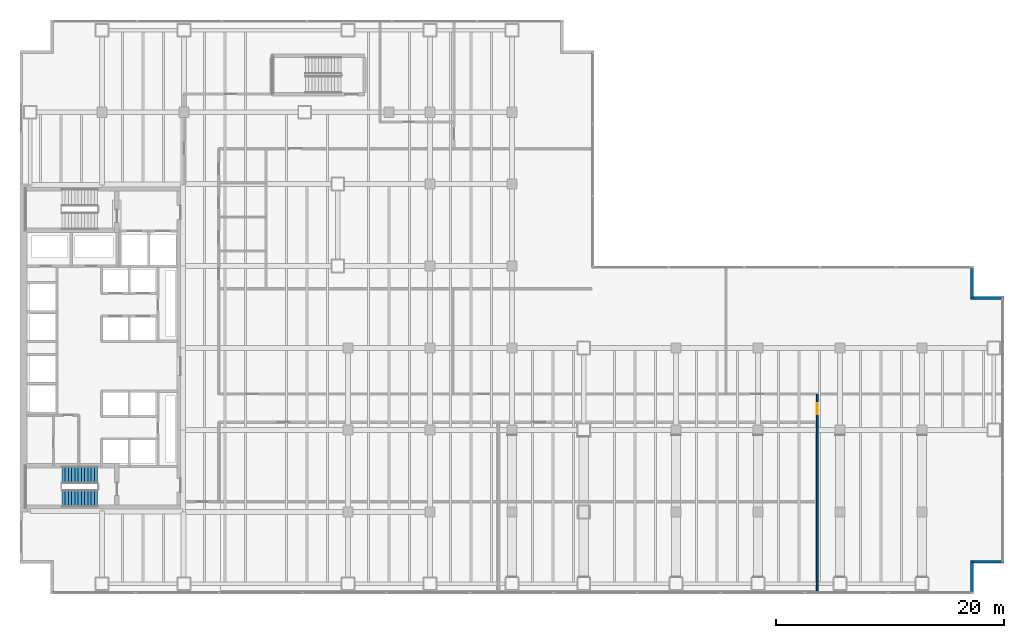
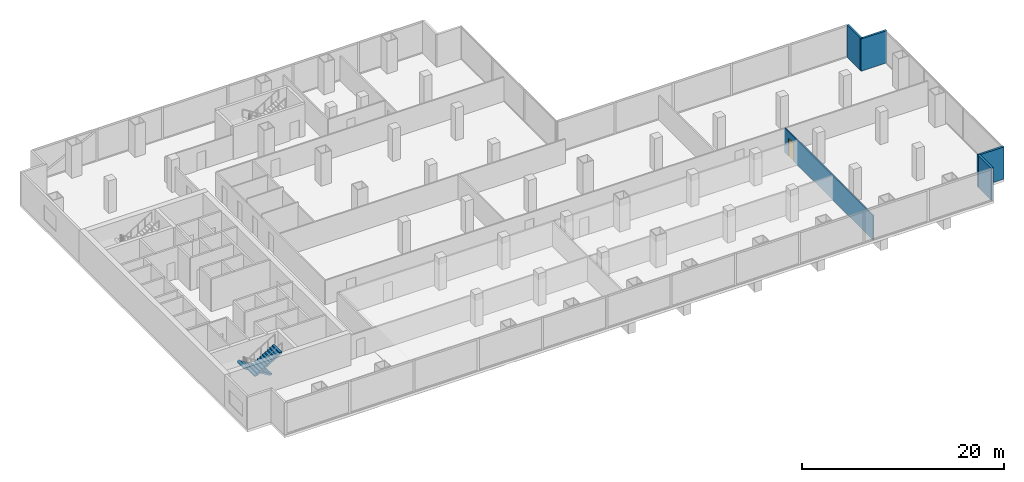
# One storey, part 30 of 34: 5 walls, 2 stair flights, 1 door, 1 opening, 1 element without a shape of its own.
"""IFC4 building model written with IfcOpenShell, lengths in metres."""

from ifc_helpers import new_model, si_unit, direction, frame, frame_2d, origin, place, context, subcontext, project, spatial, polyline, rectangle, outline, extrude, material, layer, layer_set, type_object, element, fill, aggregate, save


model = new_model("IFC4")

# Units and contexts
model_context = context("Model", 3, precision=1e-05, world=origin(), true_north=direction((0.0, 1.0)))
body_context = subcontext(model_context, "Body", "Model", "MODEL_VIEW")
ifc_project = project(units=[si_unit("LENGTHUNIT", "METRE"), si_unit("AREAUNIT", "SQUARE_METRE"), si_unit("VOLUMEUNIT", "CUBIC_METRE"), si_unit("PLANEANGLEUNIT", "RADIAN"), si_unit("MASSUNIT", "GRAM", prefix="KILO")], contexts=[model_context])

# Site, building, storey
site_placement = place(None, origin())
site = spatial("IfcSite", under=ifc_project, at=site_placement, CompositionType="ELEMENT")
building_placement = place(site_placement, origin())
building = spatial("IfcBuilding", under=site, at=building_placement, Name="Cobrela Telecom Tower", CompositionType="ELEMENT")
storey_placement = place(building_placement, frame((0.0, 0.0, 5.25)))
storey = spatial("IfcBuildingStorey", under=building, at=storey_placement, Name="L01", CompositionType="ELEMENT", Elevation=5.25)

# Walls
ifc_material_1 = material(Name="Concrete C40/50", Category="concrete")
ifc_layer_1 = layer(ifc_material_1, 0.239990234375)
ifc_layer_set_1 = layer_set([ifc_layer_1], Name="Concrete C40/50")
wall_type_1 = type_object("IfcWallType", Name="WALL-EXT-300", PredefinedType="STANDARD", material=ifc_layer_set_1)
wall_1_placement = place(storey_placement, frame((83.580078125, 28.679931640625, 0.0), z_axis=(0.0, 0.0, 1.0), x_axis=(0.0, -1.0, 0.0)))
element("IfcWall", 1, at=wall_1_placement, inside=storey, type_object=wall_type_1, Name="L01 Insulated Facade Wall 12", PredefinedType="STANDARD", context=body_context, shape_type="SweptSolid", body=[
    extrude(rectangle(XDim=2.699951171875, YDim=0.239990234375, at=frame_2d((1.35009765625, 0.0))), origin(), (0.0, 0.0, 1.0), 3.89990234375),
])
for number, where, z_axis, x_axis, name in (
    (2, (83.4599609375, 25.97998046875, 0.0), (0.0, 0.0, 1.0), (1.0, 0.0, 0.0), "L01 Insulated Facade Wall 13"),
    (3, (86.39990234375, 2.820068359375, 0.0), (0.0, 0.0, 1.0), (-1.0, 0.0, 0.0), "L01 Insulated Facade Wall 15"),
):
    element("IfcWall", number, at=place(storey_placement, frame(where, z_axis=z_axis, x_axis=x_axis)), inside=storey, type_object=wall_type_1, Name=name, PredefinedType="STANDARD", context=body_context, shape_type="SweptSolid", body=[
        extrude(rectangle(XDim=2.93994140625, YDim=0.239990234375, at=frame_2d((1.469970703125, 0.0))), origin(), (0.0, 0.0, 1.0), 3.89990234375),
    ])
wall_2_placement = place(storey_placement, frame((83.580078125, 2.820068359375, 0.0), z_axis=(0.0, 0.0, 1.0), x_axis=(0.0, -1.0, 0.0)))
element("IfcWall", 4, at=wall_2_placement, inside=storey, type_object=wall_type_1, Name="L01 Insulated Facade Wall 16", PredefinedType="STANDARD", context=body_context, shape_type="SweptSolid", body=[
    extrude(rectangle(XDim=2.699951171875, YDim=0.239990234375, at=frame_2d((1.35009765625, 0.0))), origin(), (0.0, 0.0, 1.0), 3.89990234375),
])

# Wall, opening, door
ifc_material_2 = material(Name="Fire-Rated Gypsum Plasterboard")
ifc_layer_2 = layer(ifc_material_2, 0.14990234375)
ifc_layer_set_2 = layer_set([ifc_layer_2], Name="Fire-Rated Gypsum Plasterboard")
wall_type_2 = type_object("IfcWallType", Name="WALL-PART-150", PredefinedType="PARTITIONING", material=ifc_layer_set_2)
wall_3_placement = place(storey_placement, frame((70.0, 0.1201171875, 0.0), z_axis=(0.0, 0.0, 1.0), x_axis=(0.0, 1.0, 0.0)))
wall_3 = element("IfcWall", 5, at=wall_3_placement, inside=storey, type_object=wall_type_2, Name="L01 Interior Partition W-PC-END", PredefinedType="PARTITIONING", context=body_context, shape_type="SweptSolid", body=[
    extrude(rectangle(XDim=17.429931640625, YDim=0.14990234375, at=frame_2d((8.71484375, 0.0))), origin(), (0.0, 0.0, 1.0), 2.93798828125),
])
opening_placement = place(wall_3_placement, frame((15.64990234375, 0.0, 0.0)))
opening = element("IfcOpeningElement", 6, at=opening_placement, cuts=wall_3, Name="Opening DR-31", PredefinedType="OPENING", context=body_context, shape_type="SweptSolid", body=[
    extrude(rectangle(XDim=1.0, YDim=2.14990234375, at=frame_2d((0.5, 1.074951171875))), frame((0.0, 0.0869140625, 0.0), z_axis=(0.0, -1.0, 0.0), x_axis=(1.0, 0.0, 0.0)), (0.0, 0.0, 1.0), 0.173828125),
])
ifc_material_3 = material(Name="Solid Engineered Oak Timber", Category="wood")
door_type = type_object("IfcDoorType", Name="DOOR-INT-1000", OperationType="SINGLE_SWING_LEFT", PredefinedType="DOOR", material=ifc_material_3)
door_placement = place(opening_placement, origin())
door = element("IfcDoor", 7, at=door_placement, inside=storey, type_object=door_type, Name="L01 Door DR-31", OperationType="SINGLE_SWING_LEFT", OverallHeight=2.14990234375, OverallWidth=1.0, PredefinedType="DOOR", context=body_context, shape_type="SweptSolid", body=[
    extrude(rectangle(XDim=1.0, YDim=2.14990234375, at=frame_2d((0.5, 1.074951171875))), frame((0.0, 0.02490234375, 0.0), z_axis=(0.0, -1.0, 0.0), x_axis=(1.0, 0.0, 0.0)), (0.0, 0.0, 1.0), 0.050048828125),
])
fill(opening, door)

# Stair, stair flights
stair_type = type_object("IfcStairType", Name="STAIR-CORE", PredefinedType="HALF_TURN_STAIR", material=ifc_material_1)
stair_placement = place(storey_placement, origin())
stair = element("IfcStair", 8, at=stair_placement, inside=storey, type_object=stair_type, Name="L01 Smokeproof Exit Stair ST2", PredefinedType="HALF_TURN_STAIR")
stair_flight_type = type_object("IfcStairFlightType", Name="FLIGHT-CORE", PredefinedType="STRAIGHT", material=ifc_material_1)
stair_flight_1_placement = place(storey_placement, frame((6.820068359375, 10.449951171875, 0.0), z_axis=(0.0, 0.0, 1.0), x_axis=(-1.0, 0.0, 0.0)))
stair_flight_1 = element("IfcStairFlight", 9, at=stair_flight_1_placement, type_object=stair_flight_type, Name="ST2 flight 1", NumberOfRisers=12, NumberOfTreads=11, PredefinedType="STRAIGHT", RiserHeight=0.175, TreadLength=0.285, context=body_context, shape_type="SweptSolid", body=[
    extrude(outline(polyline([(0.0, 0.0), (0.0, 0.175048828125), (0.284912109375, 0.175048828125), (0.284912109375, 0.35009765625), (0.570068359375, 0.35009765625), (0.570068359375, 0.52490234375), (0.85498046875, 0.52490234375), (0.85498046875, 0.699951171875), (1.139892578125, 0.699951171875), (1.139892578125, 0.875), (1.425048828125, 0.875), (1.425048828125, 1.050048828125), (1.7099609375, 1.050048828125), (1.7099609375, 1.22509765625), (1.9951171875, 1.22509765625), (1.9951171875, 1.39990234375), (2.280029296875, 1.39990234375), (2.280029296875, 1.574951171875), (2.56494140625, 1.574951171875), (2.56494140625, 1.75), (2.85009765625, 1.75), (2.85009765625, 1.925048828125), (3.135009765625, 1.925048828125), (3.135009765625, 2.10009765625), (3.135009765625, 1.7490234375), (0.286376953125, 0.0), (0.0, 0.0)])), frame((0.0, 0.75, 0.0), z_axis=(0.0, -1.0, 0.0), x_axis=(1.0, 0.0, 0.0)), (0.0, 0.0, 1.0), 1.5),
])
stair_flight_2_placement = place(storey_placement, frame((3.68505859375, 8.39990234375, 2.10009765625), z_axis=(0.0, 0.0, 1.0), x_axis=(1.0, 0.0, 0.0)))
stair_flight_2 = element("IfcStairFlight", 10, at=stair_flight_2_placement, type_object=stair_flight_type, Name="ST2 flight 2", NumberOfRisers=12, NumberOfTreads=11, PredefinedType="STRAIGHT", RiserHeight=0.175, TreadLength=0.285, context=body_context, shape_type="SweptSolid", body=[
    extrude(outline(polyline([(0.0, 0.0), (0.0, 0.175048828125), (0.284912109375, 0.175048828125), (0.284912109375, 0.35009765625), (0.570068359375, 0.35009765625), (0.570068359375, 0.52490234375), (0.85498046875, 0.52490234375), (0.85498046875, 0.699951171875), (1.139892578125, 0.699951171875), (1.139892578125, 0.875), (1.425048828125, 0.875), (1.425048828125, 1.050048828125), (1.7099609375, 1.050048828125), (1.7099609375, 1.22509765625), (1.9951171875, 1.22509765625), (1.9951171875, 1.39990234375), (2.280029296875, 1.39990234375), (2.280029296875, 1.574951171875), (2.56494140625, 1.574951171875), (2.56494140625, 1.75), (2.85009765625, 1.75), (2.85009765625, 1.925048828125), (3.135009765625, 1.925048828125), (3.135009765625, 2.10009765625), (3.135009765625, 1.7490234375), (0.286376953125, 0.0), (0.0, 0.0)])), frame((0.0, 0.75, 0.0), z_axis=(0.0, -1.0, 0.0), x_axis=(1.0, 0.0, 0.0)), (0.0, 0.0, 1.0), 1.5),
])
aggregate(stair, [stair_flight_1, stair_flight_2])

save(model, "model.ifc")
